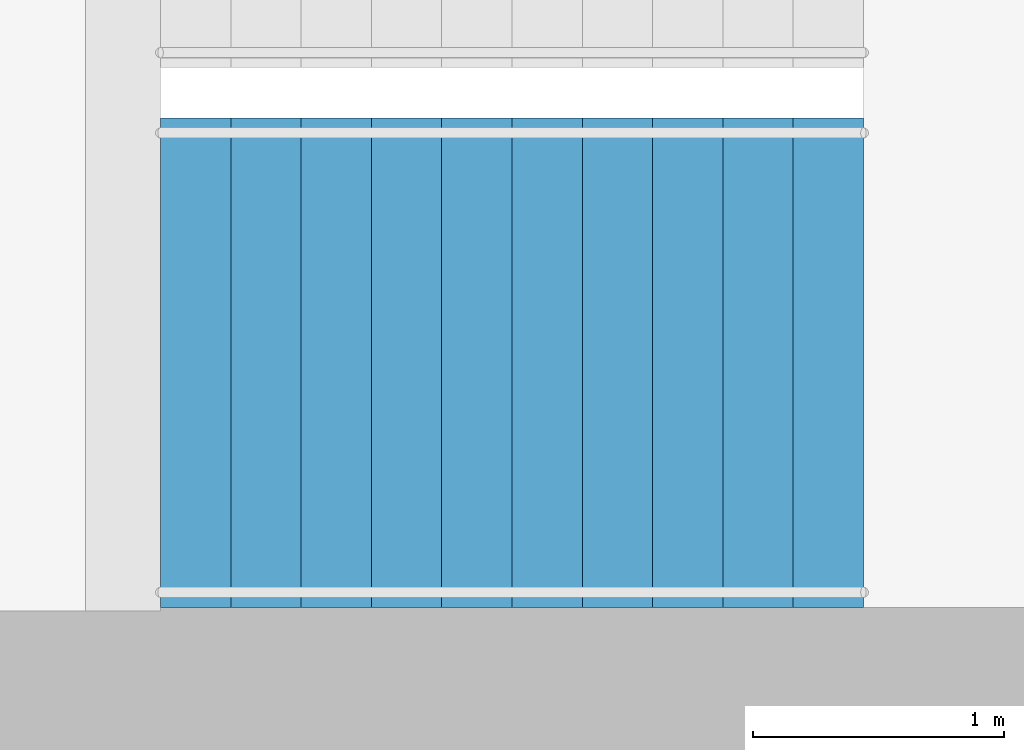
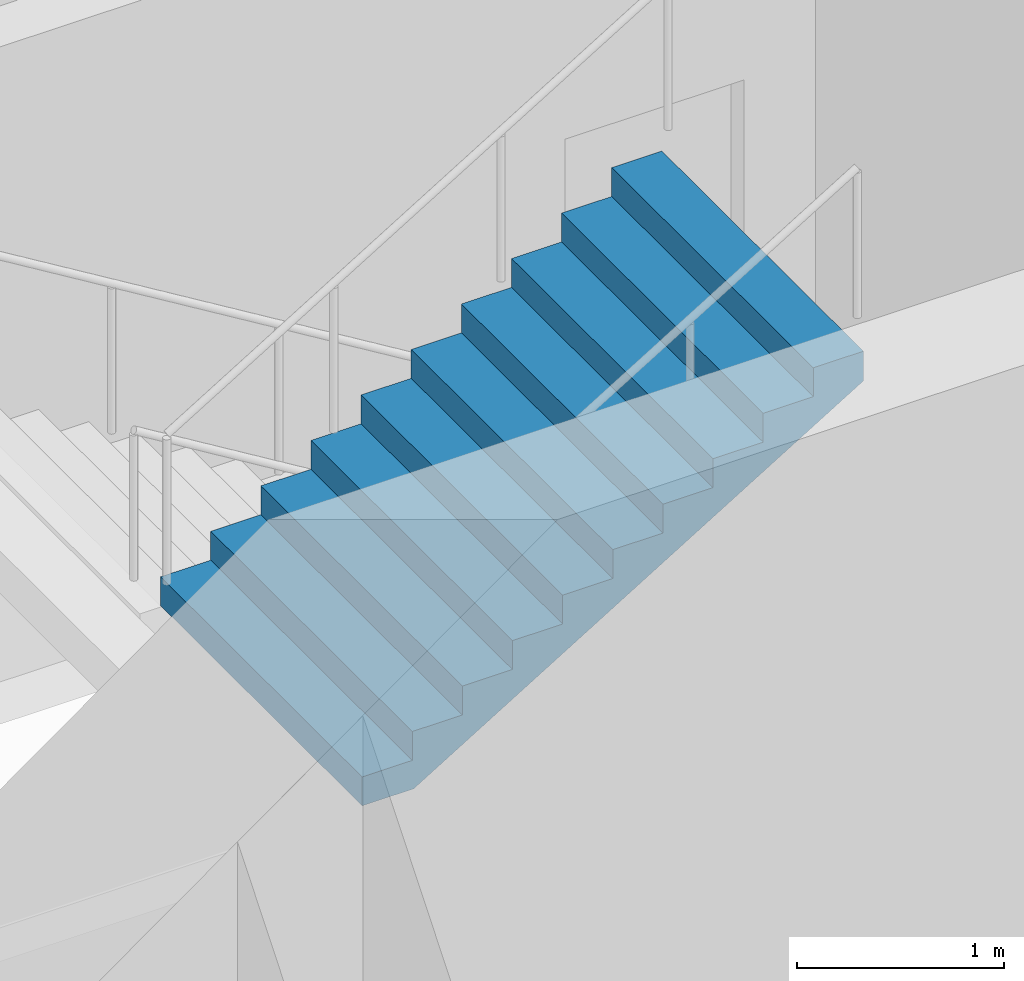
# One storey, part 21 of 23: 1 stair flight, 1 element without a shape of its own.
"""IFC4 building model written with IfcOpenShell, lengths in metres."""

from ifc_helpers import new_model, si_unit, direction, frame, origin, place, context, subcontext, project, spatial, triangles, material, type_object, element, aggregate, save


model = new_model("IFC4")

# Units and contexts
model_context = context("Model", 3, precision=1e-05, world=origin(), true_north=direction((0.0, 1.0)))
body_context = subcontext(model_context, "Body", "Model", "MODEL_VIEW")
ifc_project = project(units=[si_unit("LENGTHUNIT", "METRE"), si_unit("AREAUNIT", "SQUARE_METRE"), si_unit("VOLUMEUNIT", "CUBIC_METRE"), si_unit("PLANEANGLEUNIT", "RADIAN"), si_unit("MASSUNIT", "GRAM", prefix="KILO")], contexts=[model_context])

# Site, building, storey
site_placement = place(None, origin())
site = spatial("IfcSite", under=ifc_project, at=site_placement, CompositionType="ELEMENT")
building_placement = place(site_placement, origin())
building = spatial("IfcBuilding", under=site, at=building_placement, Name="Orbita Commons", CompositionType="ELEMENT")
storey_placement = place(building_placement, frame((0.0, 0.0, 254.050048828125)))
storey = spatial("IfcBuildingStorey", under=building, at=storey_placement, Name="L63", CompositionType="ELEMENT", Elevation=254.050048828125)

# Stair, stair flight
ifc_material_1 = material(Name="Precast concrete C40/50", Category="concrete")
stair_type = type_object("IfcStairType", Name="Exit stair S2 2 flights 11 risers 170", PredefinedType="HALF_TURN_STAIR", material=ifc_material_1)
stair_placement = place(storey_placement, origin())
stair = element("IfcStair", 1, at=stair_placement, inside=storey, type_object=stair_type, Name="Exit stair S2 L63", PredefinedType="HALF_TURN_STAIR")
ifc_material_2 = material(Name="Precast concrete C40/50", Category="concrete")
stair_flight_type = type_object("IfcStairFlightType", Name="Stair flight 11 risers 170 x 280", PredefinedType="STRAIGHT", material=ifc_material_2)
stair_flight_placement = place(storey_placement, frame((60.75, 27.125, 1.875), z_axis=(0.0, 0.0, 1.0), x_axis=(1.0, 0.0, 0.0)))
stair_flight = element("IfcStairFlight", 2, at=stair_flight_placement, type_object=stair_flight_type, Name="S2 flight 2", NumberOfRisers=11, NumberOfTreads=10, PredefinedType="STRAIGHT", RiserHeight=0.170454545, TreadLength=0.28, context=body_context, shape_type="Tessellation", body=[
    triangles([(0.0, 0.974976, 0.0), (0.0, 0.974976, 0.021307), (0.0, 0.81248, 0.021307), (0.0, 0.81248, 0.0), (0.0, 0.649984, 0.021307), (0.0, 0.649984, 0.0), (0.0, 0.487488, 0.021307), (0.0, 0.487488, 0.0), (0.0, 0.324992, 0.021307), (0.0, 0.324992, 0.0), (0.0, 0.162496, 0.021307), (0.0, 0.162496, 0.0), (0.0, 0.0, 0.021307), (0.0, 0.0, 0.0), (0.0, -0.162496, 0.021307), (0.0, -0.162496, 0.0), (0.0, -0.324992, 0.021307), (0.0, -0.324992, 0.0), (0.0, -0.487488, 0.021307), (0.0, -0.487488, 0.0), (0.0, -0.649984, 0.021307), (0.0, -0.649984, 0.0), (0.0, -0.81248, 0.021307), (0.0, -0.81248, 0.0), (0.0, -0.974976, 0.021307), (0.0, -0.974976, 0.0), (0.0, 0.974976, 0.042614), (0.0, 0.81248, 0.042614), (0.0, 0.649984, 0.042614), (0.0, 0.487488, 0.042614), (0.0, 0.324992, 0.042614), (0.0, 0.162496, 0.042614), (0.0, 0.0, 0.042614), (0.0, -0.162496, 0.042614), (0.0, -0.324992, 0.042614), (0.0, -0.487488, 0.042614), (0.0, -0.649984, 0.042614), (0.0, -0.81248, 0.042614), (0.0, -0.974976, 0.042614), (0.0, 0.974976, 0.06392), (0.0, 0.81248, 0.06392), (0.0, 0.649984, 0.06392), (0.0, 0.487488, 0.06392), (0.0, 0.324992, 0.06392), (0.0, 0.162496, 0.06392), (0.0, 0.0, 0.06392), (0.0, -0.162496, 0.06392), (0.0, -0.324992, 0.06392), (0.0, -0.487488, 0.06392), (0.0, -0.649984, 0.06392), (0.0, -0.81248, 0.06392), (0.0, -0.974976, 0.06392), (0.0, 0.974976, 0.085227), (0.0, 0.81248, 0.085227), (0.0, 0.649984, 0.085227), (0.0, 0.487488, 0.085227), (0.0, 0.324992, 0.085227), (0.0, 0.162496, 0.085227), (0.0, 0.0, 0.085227), (0.0, -0.162496, 0.085227), (0.0, -0.324992, 0.085227), (0.0, -0.487488, 0.085227), (0.0, -0.649984, 0.085227), (0.0, -0.81248, 0.085227), (0.0, -0.974976, 0.085227), (0.0, 0.974976, 0.106534), (0.0, 0.81248, 0.106534), (0.0, 0.649984, 0.106534), (0.0, 0.487488, 0.106534), (0.0, 0.324992, 0.106534), (0.0, 0.162496, 0.106534), (0.0, 0.0, 0.106534), (0.0, -0.162496, 0.106534), (0.0, -0.324992, 0.106534), (0.0, -0.487488, 0.106534), (0.0, -0.649984, 0.106534), (0.0, -0.81248, 0.106534), (0.0, -0.974976, 0.106534), (0.0, 0.974976, 0.127841), (0.0, 0.81248, 0.127841), (0.0, 0.649984, 0.127841), (0.0, 0.487488, 0.127841), (0.0, 0.324992, 0.127841), (0.0, 0.162496, 0.127841), (0.0, 0.0, 0.127841), (0.0, -0.162496, 0.127841), (0.0, -0.324992, 0.127841), (0.0, -0.487488, 0.127841), (0.0, -0.649984, 0.127841), (0.0, -0.81248, 0.127841), (0.0, -0.974976, 0.127841), (0.0, 0.974976, 0.149148), (0.0, 0.81248, 0.149148), (0.0, 0.649984, 0.149148), (0.0, 0.487488, 0.149148), (0.0, 0.324992, 0.149148), (0.0, 0.162496, 0.149148), (0.0, 0.0, 0.149148), (0.0, -0.162496, 0.149148), (0.0, -0.324992, 0.149148), (0.0, -0.487488, 0.149148), (0.0, -0.649984, 0.149148), (0.0, -0.81248, 0.149148), (0.0, -0.974976, 0.149148), (0.0, 0.974976, 0.170455), (0.0, 0.81248, 0.170455), (0.0, 0.649984, 0.170455), (0.0, 0.487488, 0.170455), (0.0, 0.324992, 0.170455), (0.0, 0.162496, 0.170455), (0.0, 0.0, 0.170455), (0.0, -0.162496, 0.170455), (0.0, -0.324992, 0.170455), (0.0, -0.487488, 0.170455), (0.0, -0.649984, 0.170455), (0.0, -0.81248, 0.170455), (0.0, -0.974976, 0.170455), (0.28, 0.974976, 0.170455), (0.28, 0.81248, 0.170455), (0.28, 0.649984, 0.170455), (0.28, 0.487488, 0.170455), (0.28, 0.324992, 0.170455), (0.28, 0.162496, 0.170455), (0.28, 0.0, 0.170455), (0.28, -0.162496, 0.170455), (0.28, -0.324992, 0.170455), (0.28, -0.487488, 0.170455), (0.28, -0.649984, 0.170455), (0.28, -0.81248, 0.170455), (0.28, -0.974976, 0.170455), (0.28, 0.974976, 0.340909), (0.28, 0.81248, 0.340909), (0.28, 0.649984, 0.340909), (0.28, 0.487488, 0.340909), (0.28, 0.324992, 0.340909), (0.28, 0.162496, 0.340909), (0.28, 0.0, 0.340909), (0.28, -0.162496, 0.340909), (0.28, -0.324992, 0.340909), (0.28, -0.487488, 0.340909), (0.28, -0.649984, 0.340909), (0.28, -0.81248, 0.340909), (0.28, -0.974976, 0.340909), (0.56, 0.974976, 0.340909), (0.56, 0.81248, 0.340909), (0.56, 0.649984, 0.340909), (0.56, 0.487488, 0.340909), (0.56, 0.324992, 0.340909), (0.56, 0.162496, 0.340909), (0.56, 0.0, 0.340909), (0.56, -0.162496, 0.340909), (0.56, -0.324992, 0.340909), (0.56, -0.487488, 0.340909), (0.56, -0.649984, 0.340909), (0.56, -0.81248, 0.340909), (0.56, -0.974976, 0.340909), (0.56, 0.974976, 0.511364), (0.56, 0.81248, 0.511364), (0.56, 0.649984, 0.511364), (0.56, 0.487488, 0.511364), (0.56, 0.324992, 0.511364), (0.56, 0.162496, 0.511364), (0.56, 0.0, 0.511364), (0.56, -0.162496, 0.511364), (0.56, -0.324992, 0.511364), (0.56, -0.487488, 0.511364), (0.56, -0.649984, 0.511364), (0.56, -0.81248, 0.511364), (0.56, -0.974976, 0.511364), (0.84, 0.974976, 0.511364), (0.84, 0.81248, 0.511364), (0.84, 0.649984, 0.511364), (0.84, 0.487488, 0.511364), (0.84, 0.324992, 0.511364), (0.84, 0.162496, 0.511364), (0.84, 0.0, 0.511364), (0.84, -0.162496, 0.511364), (0.84, -0.324992, 0.511364), (0.84, -0.487488, 0.511364), (0.84, -0.649984, 0.511364), (0.84, -0.81248, 0.511364), (0.84, -0.974976, 0.511364), (0.84, 0.974976, 0.681818), (0.84, 0.81248, 0.681818), (0.84, 0.649984, 0.681818), (0.84, 0.487488, 0.681818), (0.84, 0.324992, 0.681818), (0.84, 0.162496, 0.681818), (0.84, 0.0, 0.681818), (0.84, -0.162496, 0.681818), (0.84, -0.324992, 0.681818), (0.84, -0.487488, 0.681818), (0.84, -0.649984, 0.681818), (0.84, -0.81248, 0.681818), (0.84, -0.974976, 0.681818), (1.12, 0.974976, 0.681818), (1.12, 0.81248, 0.681818), (1.12, 0.649984, 0.681818), (1.12, 0.487488, 0.681818), (1.12, 0.324992, 0.681818), (1.12, 0.162496, 0.681818), (1.12, 0.0, 0.681818), (1.12, -0.162496, 0.681818), (1.12, -0.324992, 0.681818), (1.12, -0.487488, 0.681818), (1.12, -0.649984, 0.681818), (1.12, -0.81248, 0.681818), (1.12, -0.974976, 0.681818), (1.12, 0.974976, 0.852273), (1.12, 0.81248, 0.852273), (1.12, 0.649984, 0.852273), (1.12, 0.487488, 0.852273), (1.12, 0.324992, 0.852273), (1.12, 0.162496, 0.852273), (1.12, 0.0, 0.852273), (1.12, -0.162496, 0.852273), (1.12, -0.324992, 0.852273), (1.12, -0.487488, 0.852273), (1.12, -0.649984, 0.852273), (1.12, -0.81248, 0.852273), (1.12, -0.974976, 0.852273), (1.4, 0.974976, 0.852273), (1.4, 0.81248, 0.852273), (1.4, 0.649984, 0.852273), (1.4, 0.487488, 0.852273), (1.4, 0.324992, 0.852273), (1.4, 0.162496, 0.852273), (1.4, 0.0, 0.852273), (1.4, -0.162496, 0.852273), (1.4, -0.324992, 0.852273), (1.4, -0.487488, 0.852273), (1.4, -0.649984, 0.852273), (1.4, -0.81248, 0.852273), (1.4, -0.974976, 0.852273), (1.4, 0.974976, 1.022727), (1.4, 0.81248, 1.022727), (1.4, 0.649984, 1.022727), (1.4, 0.487488, 1.022727), (1.4, 0.324992, 1.022727), (1.4, 0.162496, 1.022727), (1.4, 0.0, 1.022727), (1.4, -0.162496, 1.022727), (1.4, -0.324992, 1.022727), (1.4, -0.487488, 1.022727), (1.4, -0.649984, 1.022727), (1.4, -0.81248, 1.022727), (1.4, -0.974976, 1.022727), (1.68, 0.974976, 1.022727), (1.68, 0.81248, 1.022727), (1.68, 0.649984, 1.022727), (1.68, 0.487488, 1.022727), (1.68, 0.324992, 1.022727), (1.68, 0.162496, 1.022727), (1.68, 0.0, 1.022727), (1.68, -0.162496, 1.022727), (1.68, -0.324992, 1.022727), (1.68, -0.487488, 1.022727), (1.68, -0.649984, 1.022727), (1.68, -0.81248, 1.022727), (1.68, -0.974976, 1.022727), (1.68, 0.974976, 1.193182), (1.68, 0.81248, 1.193182), (1.68, 0.649984, 1.193182), (1.68, 0.487488, 1.193182), (1.68, 0.324992, 1.193182), (1.68, 0.162496, 1.193182), (1.68, 0.0, 1.193182), (1.68, -0.162496, 1.193182), (1.68, -0.324992, 1.193182), (1.68, -0.487488, 1.193182), (1.68, -0.649984, 1.193182), (1.68, -0.81248, 1.193182), (1.68, -0.974976, 1.193182), (1.96, 0.974976, 1.193182), (1.96, 0.81248, 1.193182), (1.96, 0.649984, 1.193182), (1.96, 0.487488, 1.193182), (1.96, 0.324992, 1.193182), (1.96, 0.162496, 1.193182), (1.96, 0.0, 1.193182), (1.96, -0.162496, 1.193182), (1.96, -0.324992, 1.193182), (1.96, -0.487488, 1.193182), (1.96, -0.649984, 1.193182), (1.96, -0.81248, 1.193182), (1.96, -0.974976, 1.193182), (1.96, 0.974976, 1.363636), (1.96, 0.81248, 1.363636), (1.96, 0.649984, 1.363636), (1.96, 0.487488, 1.363636), (1.96, 0.324992, 1.363636), (1.96, 0.162496, 1.363636), (1.96, 0.0, 1.363636), (1.96, -0.162496, 1.363636), (1.96, -0.324992, 1.363636), (1.96, -0.487488, 1.363636), (1.96, -0.649984, 1.363636), (1.96, -0.81248, 1.363636), (1.96, -0.974976, 1.363636), (2.24, 0.974976, 1.363636), (2.24, 0.81248, 1.363636), (2.24, 0.649984, 1.363636), (2.24, 0.487488, 1.363636), (2.24, 0.324992, 1.363636), (2.24, 0.162496, 1.363636), (2.24, 0.0, 1.363636), (2.24, -0.162496, 1.363636), (2.24, -0.324992, 1.363636), (2.24, -0.487488, 1.363636), (2.24, -0.649984, 1.363636), (2.24, -0.81248, 1.363636), (2.24, -0.974976, 1.363636), (2.24, 0.974976, 1.534091), (2.24, 0.81248, 1.534091), (2.24, 0.649984, 1.534091), (2.24, 0.487488, 1.534091), (2.24, 0.324992, 1.534091), (2.24, 0.162496, 1.534091), (2.24, 0.0, 1.534091), (2.24, -0.162496, 1.534091), (2.24, -0.324992, 1.534091), (2.24, -0.487488, 1.534091), (2.24, -0.649984, 1.534091), (2.24, -0.81248, 1.534091), (2.24, -0.974976, 1.534091), (2.52, 0.974976, 1.534091), (2.52, 0.81248, 1.534091), (2.52, 0.649984, 1.534091), (2.52, 0.487488, 1.534091), (2.52, 0.324992, 1.534091), (2.52, 0.162496, 1.534091), (2.52, 0.0, 1.534091), (2.52, -0.162496, 1.534091), (2.52, -0.324992, 1.534091), (2.52, -0.487488, 1.534091), (2.52, -0.649984, 1.534091), (2.52, -0.81248, 1.534091), (2.52, -0.974976, 1.534091), (2.52, 0.974976, 1.704545), (2.52, 0.81248, 1.704545), (2.52, 0.649984, 1.704545), (2.52, 0.487488, 1.704545), (2.52, 0.324992, 1.704545), (2.52, 0.162496, 1.704545), (2.52, 0.0, 1.704545), (2.52, -0.162496, 1.704545), (2.52, -0.324992, 1.704545), (2.52, -0.487488, 1.704545), (2.52, -0.649984, 1.704545), (2.52, -0.81248, 1.704545), (2.52, -0.974976, 1.704545), (2.8, 0.974976, 1.704545), (2.8, 0.81248, 1.704545), (2.8, 0.649984, 1.704545), (2.8, 0.487488, 1.704545), (2.8, 0.324992, 1.704545), (2.8, 0.162496, 1.704545), (2.8, 0.0, 1.704545), (2.8, -0.162496, 1.704545), (2.8, -0.324992, 1.704545), (2.8, -0.487488, 1.704545), (2.8, -0.649984, 1.704545), (2.8, -0.81248, 1.704545), (2.8, -0.974976, 1.704545), (2.8, 0.974976, 1.682609), (2.8, 0.81248, 1.682609), (2.8, 0.649984, 1.682609), (2.8, 0.487488, 1.682609), (2.8, 0.324992, 1.682609), (2.8, 0.162496, 1.682609), (2.8, 0.0, 1.682609), (2.8, -0.162496, 1.682609), (2.8, -0.324992, 1.682609), (2.8, -0.487488, 1.682609), (2.8, -0.649984, 1.682609), (2.8, -0.81248, 1.682609), (2.8, -0.974976, 1.682609), (2.8, 0.974976, 1.660672), (2.8, 0.81248, 1.660672), (2.8, 0.649984, 1.660672), (2.8, 0.487488, 1.660672), (2.8, 0.324992, 1.660672), (2.8, 0.162496, 1.660672), (2.8, 0.0, 1.660672), (2.8, -0.162496, 1.660672), (2.8, -0.324992, 1.660672), (2.8, -0.487488, 1.660672), (2.8, -0.649984, 1.660672), (2.8, -0.81248, 1.660672), (2.8, -0.974976, 1.660672), (2.8, 0.974976, 1.638735), (2.8, 0.81248, 1.638735), (2.8, 0.649984, 1.638735), (2.8, 0.487488, 1.638735), (2.8, 0.324992, 1.638735), (2.8, 0.162496, 1.638735), (2.8, 0.0, 1.638735), (2.8, -0.162496, 1.638735), (2.8, -0.324992, 1.638735), (2.8, -0.487488, 1.638735), (2.8, -0.649984, 1.638735), (2.8, -0.81248, 1.638735), (2.8, -0.974976, 1.638735), (2.8, 0.974976, 1.616798), (2.8, 0.81248, 1.616798), (2.8, 0.649984, 1.616798), (2.8, 0.487488, 1.616798), (2.8, 0.324992, 1.616798), (2.8, 0.162496, 1.616798), (2.8, 0.0, 1.616798), (2.8, -0.162496, 1.616798), (2.8, -0.324992, 1.616798), (2.8, -0.487488, 1.616798), (2.8, -0.649984, 1.616798), (2.8, -0.81248, 1.616798), (2.8, -0.974976, 1.616798), (2.8, 0.974976, 1.594861), (2.8, 0.81248, 1.594861), (2.8, 0.649984, 1.594861), (2.8, 0.487488, 1.594861), (2.8, 0.324992, 1.594861), (2.8, 0.162496, 1.594861), (2.8, 0.0, 1.594861), (2.8, -0.162496, 1.594861), (2.8, -0.324992, 1.594861), (2.8, -0.487488, 1.594861), (2.8, -0.649984, 1.594861), (2.8, -0.81248, 1.594861), (2.8, -0.974976, 1.594861), (2.8, 0.974976, 1.572925), (2.8, 0.81248, 1.572925), (2.8, 0.649984, 1.572925), (2.8, 0.487488, 1.572925), (2.8, 0.324992, 1.572925), (2.8, 0.162496, 1.572925), (2.8, 0.0, 1.572925), (2.8, -0.162496, 1.572925), (2.8, -0.324992, 1.572925), (2.8, -0.487488, 1.572925), (2.8, -0.649984, 1.572925), (2.8, -0.81248, 1.572925), (2.8, -0.974976, 1.572925), (2.8, 0.974976, 1.550988), (2.8, 0.81248, 1.550988), (2.8, 0.649984, 1.550988), (2.8, 0.487488, 1.550988), (2.8, 0.324992, 1.550988), (2.8, 0.162496, 1.550988), (2.8, 0.0, 1.550988), (2.8, -0.162496, 1.550988), (2.8, -0.324992, 1.550988), (2.8, -0.487488, 1.550988), (2.8, -0.649984, 1.550988), (2.8, -0.81248, 1.550988), (2.8, -0.974976, 1.550988), (2.8, 0.974976, 1.529051), (2.8, 0.81248, 1.529051), (2.8, 0.649984, 1.529051), (2.8, 0.487488, 1.529051), (2.8, 0.324992, 1.529051), (2.8, 0.162496, 1.529051), (2.8, 0.0, 1.529051), (2.8, -0.162496, 1.529051), (2.8, -0.324992, 1.529051), (2.8, -0.487488, 1.529051), (2.8, -0.649984, 1.529051), (2.8, -0.81248, 1.529051), (2.8, -0.974976, 1.529051), (0.288279, 0.974976, 0.0), (0.288279, 0.81248, 0.0), (0.288279, 0.649984, 0.0), (0.288279, 0.487488, 0.0), (0.288279, 0.324992, 0.0), (0.288279, 0.162496, 0.0), (0.288279, 0.0, 0.0), (0.288279, -0.162496, 0.0), (0.288279, -0.324992, 0.0), (0.288279, -0.487488, 0.0), (0.288279, -0.649984, 0.0), (0.288279, -0.81248, 0.0), (0.288279, -0.974976, 0.0)], [[3, 2, 1], [4, 3, 1], [5, 3, 4], [6, 5, 4], [7, 5, 6], [8, 7, 6], [9, 7, 8], [10, 9, 8], [11, 9, 10], [12, 11, 10], [13, 11, 12], [14, 13, 12], [15, 13, 14], [16, 15, 14], [17, 15, 16], [18, 17, 16], [19, 17, 18], [20, 19, 18], [21, 19, 20], [22, 21, 20], [23, 21, 22], [24, 23, 22], [25, 23, 24], [26, 25, 24], [28, 27, 2], [3, 28, 2], [29, 28, 3], [5, 29, 3], [30, 29, 5], [7, 30, 5], [31, 30, 7], [9, 31, 7], [32, 31, 9], [11, 32, 9], [33, 32, 11], [13, 33, 11], [34, 33, 13], [15, 34, 13], [35, 34, 15], [17, 35, 15], [36, 35, 17], [19, 36, 17], [37, 36, 19], [21, 37, 19], [38, 37, 21], [23, 38, 21], [39, 38, 23], [25, 39, 23], [41, 40, 27], [28, 41, 27], [42, 41, 28], [29, 42, 28], [43, 42, 29], [30, 43, 29], [44, 43, 30], [31, 44, 30], [45, 44, 31], [32, 45, 31], [46, 45, 32], [33, 46, 32], [47, 46, 33], [34, 47, 33], [48, 47, 34], [35, 48, 34], [49, 48, 35], [36, 49, 35], [50, 49, 36], [37, 50, 36], [51, 50, 37], [38, 51, 37], [52, 51, 38], [39, 52, 38], [54, 53, 40], [41, 54, 40], [55, 54, 41], [42, 55, 41], [56, 55, 42], [43, 56, 42], [57, 56, 43], [44, 57, 43], [58, 57, 44], [45, 58, 44], [59, 58, 45], [46, 59, 45], [60, 59, 46], [47, 60, 46], [61, 60, 47], [48, 61, 47], [62, 61, 48], [49, 62, 48], [63, 62, 49], [50, 63, 49], [64, 63, 50], [51, 64, 50], [65, 64, 51], [52, 65, 51], [67, 66, 53], [54, 67, 53], [68, 67, 54], [55, 68, 54], [69, 68, 55], [56, 69, 55], [70, 69, 56], [57, 70, 56], [71, 70, 57], [58, 71, 57], [72, 71, 58], [59, 72, 58], [73, 72, 59], [60, 73, 59], [74, 73, 60], [61, 74, 60], [75, 74, 61], [62, 75, 61], [76, 75, 62], [63, 76, 62], [77, 76, 63], [64, 77, 63], [78, 77, 64], [65, 78, 64], [80, 79, 66], [67, 80, 66], [81, 80, 67], [68, 81, 67], [82, 81, 68], [69, 82, 68], [83, 82, 69], [70, 83, 69], [84, 83, 70], [71, 84, 70], [85, 84, 71], [72, 85, 71], [86, 85, 72], [73, 86, 72], [87, 86, 73], [74, 87, 73], [88, 87, 74], [75, 88, 74], [89, 88, 75], [76, 89, 75], [90, 89, 76], [77, 90, 76], [91, 90, 77], [78, 91, 77], [93, 92, 79], [80, 93, 79], [94, 93, 80], [81, 94, 80], [95, 94, 81], [82, 95, 81], [96, 95, 82], [83, 96, 82], [97, 96, 83], [84, 97, 83], [98, 97, 84], [85, 98, 84], [99, 98, 85], [86, 99, 85], [100, 99, 86], [87, 100, 86], [101, 100, 87], [88, 101, 87], [102, 101, 88], [89, 102, 88], [103, 102, 89], [90, 103, 89], [104, 103, 90], [91, 104, 90], [106, 105, 92], [93, 106, 92], [107, 106, 93], [94, 107, 93], [108, 107, 94], [95, 108, 94], [109, 108, 95], [96, 109, 95], [110, 109, 96], [97, 110, 96], [111, 110, 97], [98, 111, 97], [112, 111, 98], [99, 112, 98], [113, 112, 99], [100, 113, 99], [114, 113, 100], [101, 114, 100], [115, 114, 101], [102, 115, 101], [116, 115, 102], [103, 116, 102], [117, 116, 103], [104, 117, 103], [119, 118, 105], [106, 119, 105], [120, 119, 106], [107, 120, 106], [121, 120, 107], [108, 121, 107], [122, 121, 108], [109, 122, 108], [123, 122, 109], [110, 123, 109], [124, 123, 110], [111, 124, 110], [125, 124, 111], [112, 125, 111], [126, 125, 112], [113, 126, 112], [127, 126, 113], [114, 127, 113], [128, 127, 114], [115, 128, 114], [129, 128, 115], [116, 129, 115], [130, 129, 116], [117, 130, 116], [132, 131, 118], [119, 132, 118], [133, 132, 119], [120, 133, 119], [134, 133, 120], [121, 134, 120], [135, 134, 121], [122, 135, 121], [136, 135, 122], [123, 136, 122], [137, 136, 123], [124, 137, 123], [138, 137, 124], [125, 138, 124], [139, 138, 125], [126, 139, 125], [140, 139, 126], [127, 140, 126], [141, 140, 127], [128, 141, 127], [142, 141, 128], [129, 142, 128], [143, 142, 129], [130, 143, 129], [145, 144, 131], [132, 145, 131], [146, 145, 132], [133, 146, 132], [147, 146, 133], [134, 147, 133], [148, 147, 134], [135, 148, 134], [149, 148, 135], [136, 149, 135], [150, 149, 136], [137, 150, 136], [151, 150, 137], [138, 151, 137], [152, 151, 138], [139, 152, 138], [153, 152, 139], [140, 153, 139], [154, 153, 140], [141, 154, 140], [155, 154, 141], [142, 155, 141], [156, 155, 142], [143, 156, 142], [158, 157, 144], [145, 158, 144], [159, 158, 145], [146, 159, 145], [160, 159, 146], [147, 160, 146], [161, 160, 147], [148, 161, 147], [162, 161, 148], [149, 162, 148], [163, 162, 149], [150, 163, 149], [164, 163, 150], [151, 164, 150], [165, 164, 151], [152, 165, 151], [166, 165, 152], [153, 166, 152], [167, 166, 153], [154, 167, 153], [168, 167, 154], [155, 168, 154], [169, 168, 155], [156, 169, 155], [171, 170, 157], [158, 171, 157], [172, 171, 158], [159, 172, 158], [173, 172, 159], [160, 173, 159], [174, 173, 160], [161, 174, 160], [175, 174, 161], [162, 175, 161], [176, 175, 162], [163, 176, 162], [177, 176, 163], [164, 177, 163], [178, 177, 164], [165, 178, 164], [179, 178, 165], [166, 179, 165], [180, 179, 166], [167, 180, 166], [181, 180, 167], [168, 181, 167], [182, 181, 168], [169, 182, 168], [184, 183, 170], [171, 184, 170], [185, 184, 171], [172, 185, 171], [186, 185, 172], [173, 186, 172], [187, 186, 173], [174, 187, 173], [188, 187, 174], [175, 188, 174], [189, 188, 175], [176, 189, 175], [190, 189, 176], [177, 190, 176], [191, 190, 177], [178, 191, 177], [192, 191, 178], [179, 192, 178], [193, 192, 179], [180, 193, 179], [194, 193, 180], [181, 194, 180], [195, 194, 181], [182, 195, 181], [197, 196, 183], [184, 197, 183], [198, 197, 184], [185, 198, 184], [199, 198, 185], [186, 199, 185], [200, 199, 186], [187, 200, 186], [201, 200, 187], [188, 201, 187], [202, 201, 188], [189, 202, 188], [203, 202, 189], [190, 203, 189], [204, 203, 190], [191, 204, 190], [205, 204, 191], [192, 205, 191], [206, 205, 192], [193, 206, 192], [207, 206, 193], [194, 207, 193], [208, 207, 194], [195, 208, 194], [210, 209, 196], [197, 210, 196], [211, 210, 197], [198, 211, 197], [212, 211, 198], [199, 212, 198], [213, 212, 199], [200, 213, 199], [214, 213, 200], [201, 214, 200], [215, 214, 201], [202, 215, 201], [216, 215, 202], [203, 216, 202], [217, 216, 203], [204, 217, 203], [218, 217, 204], [205, 218, 204], [219, 218, 205], [206, 219, 205], [220, 219, 206], [207, 220, 206], [221, 220, 207], [208, 221, 207], [223, 222, 209], [210, 223, 209], [224, 223, 210], [211, 224, 210], [225, 224, 211], [212, 225, 211], [226, 225, 212], [213, 226, 212], [227, 226, 213], [214, 227, 213], [228, 227, 214], [215, 228, 214], [229, 228, 215], [216, 229, 215], [230, 229, 216], [217, 230, 216], [231, 230, 217], [218, 231, 217], [232, 231, 218], [219, 232, 218], [233, 232, 219], [220, 233, 219], [234, 233, 220], [221, 234, 220], [236, 235, 222], [223, 236, 222], [237, 236, 223], [224, 237, 223], [238, 237, 224], [225, 238, 224], [239, 238, 225], [226, 239, 225], [240, 239, 226], [227, 240, 226], [241, 240, 227], [228, 241, 227], [242, 241, 228], [229, 242, 228], [243, 242, 229], [230, 243, 229], [244, 243, 230], [231, 244, 230], [245, 244, 231], [232, 245, 231], [246, 245, 232], [233, 246, 232], [247, 246, 233], [234, 247, 233], [249, 248, 235], [236, 249, 235], [250, 249, 236], [237, 250, 236], [251, 250, 237], [238, 251, 237], [252, 251, 238], [239, 252, 238], [253, 252, 239], [240, 253, 239], [254, 253, 240], [241, 254, 240], [255, 254, 241], [242, 255, 241], [256, 255, 242], [243, 256, 242], [257, 256, 243], [244, 257, 243], [258, 257, 244], [245, 258, 244], [259, 258, 245], [246, 259, 245], [260, 259, 246], [247, 260, 246], [262, 261, 248], [249, 262, 248], [263, 262, 249], [250, 263, 249], [264, 263, 250], [251, 264, 250], [265, 264, 251], [252, 265, 251], [266, 265, 252], [253, 266, 252], [267, 266, 253], [254, 267, 253], [268, 267, 254], [255, 268, 254], [269, 268, 255], [256, 269, 255], [270, 269, 256], [257, 270, 256], [271, 270, 257], [258, 271, 257], [272, 271, 258], [259, 272, 258], [273, 272, 259], [260, 273, 259], [275, 274, 261], [262, 275, 261], [276, 275, 262], [263, 276, 262], [277, 276, 263], [264, 277, 263], [278, 277, 264], [265, 278, 264], [279, 278, 265], [266, 279, 265], [280, 279, 266], [267, 280, 266], [281, 280, 267], [268, 281, 267], [282, 281, 268], [269, 282, 268], [283, 282, 269], [270, 283, 269], [284, 283, 270], [271, 284, 270], [285, 284, 271], [272, 285, 271], [286, 285, 272], [273, 286, 272], [288, 287, 274], [275, 288, 274], [289, 288, 275], [276, 289, 275], [290, 289, 276], [277, 290, 276], [291, 290, 277], [278, 291, 277], [292, 291, 278], [279, 292, 278], [293, 292, 279], [280, 293, 279], [294, 293, 280], [281, 294, 280], [295, 294, 281], [282, 295, 281], [296, 295, 282], [283, 296, 282], [297, 296, 283], [284, 297, 283], [298, 297, 284], [285, 298, 284], [299, 298, 285], [286, 299, 285], [301, 300, 287], [288, 301, 287], [302, 301, 288], [289, 302, 288], [303, 302, 289], [290, 303, 289], [304, 303, 290], [291, 304, 290], [305, 304, 291], [292, 305, 291], [306, 305, 292], [293, 306, 292], [307, 306, 293], [294, 307, 293], [308, 307, 294], [295, 308, 294], [309, 308, 295], [296, 309, 295], [310, 309, 296], [297, 310, 296], [311, 310, 297], [298, 311, 297], [312, 311, 298], [299, 312, 298], [314, 313, 300], [301, 314, 300], [315, 314, 301], [302, 315, 301], [316, 315, 302], [303, 316, 302], [317, 316, 303], [304, 317, 303], [318, 317, 304], [305, 318, 304], [319, 318, 305], [306, 319, 305], [320, 319, 306], [307, 320, 306], [321, 320, 307], [308, 321, 307], [322, 321, 308], [309, 322, 308], [323, 322, 309], [310, 323, 309], [324, 323, 310], [311, 324, 310], [325, 324, 311], [312, 325, 311], [327, 326, 313], [314, 327, 313], [328, 327, 314], [315, 328, 314], [329, 328, 315], [316, 329, 315], [330, 329, 316], [317, 330, 316], [331, 330, 317], [318, 331, 317], [332, 331, 318], [319, 332, 318], [333, 332, 319], [320, 333, 319], [334, 333, 320], [321, 334, 320], [335, 334, 321], [322, 335, 321], [336, 335, 322], [323, 336, 322], [337, 336, 323], [324, 337, 323], [338, 337, 324], [325, 338, 324], [340, 339, 326], [327, 340, 326], [341, 340, 327], [328, 341, 327], [342, 341, 328], [329, 342, 328], [343, 342, 329], [330, 343, 329], [344, 343, 330], [331, 344, 330], [345, 344, 331], [332, 345, 331], [346, 345, 332], [333, 346, 332], [347, 346, 333], [334, 347, 333], [348, 347, 334], [335, 348, 334], [349, 348, 335], [336, 349, 335], [350, 349, 336], [337, 350, 336], [351, 350, 337], [338, 351, 337], [353, 352, 339], [340, 353, 339], [354, 353, 340], [341, 354, 340], [355, 354, 341], [342, 355, 341], [356, 355, 342], [343, 356, 342], [357, 356, 343], [344, 357, 343], [358, 357, 344], [345, 358, 344], [359, 358, 345], [346, 359, 345], [360, 359, 346], [347, 360, 346], [361, 360, 347], [348, 361, 347], [362, 361, 348], [349, 362, 348], [363, 362, 349], [350, 363, 349], [364, 363, 350], [351, 364, 350], [366, 365, 352], [353, 366, 352], [367, 366, 353], [354, 367, 353], [368, 367, 354], [355, 368, 354], [369, 368, 355], [356, 369, 355], [370, 369, 356], [357, 370, 356], [371, 370, 357], [358, 371, 357], [372, 371, 358], [359, 372, 358], [373, 372, 359], [360, 373, 359], [374, 373, 360], [361, 374, 360], [375, 374, 361], [362, 375, 361], [376, 375, 362], [363, 376, 362], [377, 376, 363], [364, 377, 363], [379, 378, 365], [366, 379, 365], [380, 379, 366], [367, 380, 366], [381, 380, 367], [368, 381, 367], [382, 381, 368], [369, 382, 368], [383, 382, 369], [370, 383, 369], [384, 383, 370], [371, 384, 370], [385, 384, 371], [372, 385, 371], [386, 385, 372], [373, 386, 372], [387, 386, 373], [374, 387, 373], [388, 387, 374], [375, 388, 374], [389, 388, 375], [376, 389, 375], [390, 389, 376], [377, 390, 376], [392, 391, 378], [379, 392, 378], [393, 392, 379], [380, 393, 379], [394, 393, 380], [381, 394, 380], [395, 394, 381], [382, 395, 381], [396, 395, 382], [383, 396, 382], [397, 396, 383], [384, 397, 383], [398, 397, 384], [385, 398, 384], [399, 398, 385], [386, 399, 385], [400, 399, 386], [387, 400, 386], [401, 400, 387], [388, 401, 387], [402, 401, 388], [389, 402, 388], [403, 402, 389], [390, 403, 389], [405, 404, 391], [392, 405, 391], [406, 405, 392], [393, 406, 392], [407, 406, 393], [394, 407, 393], [408, 407, 394], [395, 408, 394], [409, 408, 395], [396, 409, 395], [410, 409, 396], [397, 410, 396], [411, 410, 397], [398, 411, 397], [412, 411, 398], [399, 412, 398], [413, 412, 399], [400, 413, 399], [414, 413, 400], [401, 414, 400], [415, 414, 401], [402, 415, 401], [416, 415, 402], [403, 416, 402], [418, 417, 404], [405, 418, 404], [419, 418, 405], [406, 419, 405], [420, 419, 406], [407, 420, 406], [421, 420, 407], [408, 421, 407], [422, 421, 408], [409, 422, 408], [423, 422, 409], [410, 423, 409], [424, 423, 410], [411, 424, 410], [425, 424, 411], [412, 425, 411], [426, 425, 412], [413, 426, 412], [427, 426, 413], [414, 427, 413], [428, 427, 414], [415, 428, 414], [429, 428, 415], [416, 429, 415], [431, 430, 417], [418, 431, 417], [432, 431, 418], [419, 432, 418], [433, 432, 419], [420, 433, 419], [434, 433, 420], [421, 434, 420], [435, 434, 421], [422, 435, 421], [436, 435, 422], [423, 436, 422], [437, 436, 423], [424, 437, 423], [438, 437, 424], [425, 438, 424], [439, 438, 425], [426, 439, 425], [440, 439, 426], [427, 440, 426], [441, 440, 427], [428, 441, 427], [442, 441, 428], [429, 442, 428], [444, 443, 430], [431, 444, 430], [445, 444, 431], [432, 445, 431], [446, 445, 432], [433, 446, 432], [447, 446, 433], [434, 447, 433], [448, 447, 434], [435, 448, 434], [449, 448, 435], [436, 449, 435], [450, 449, 436], [437, 450, 436], [451, 450, 437], [438, 451, 437], [452, 451, 438], [439, 452, 438], [453, 452, 439], [440, 453, 439], [454, 453, 440], [441, 454, 440], [455, 454, 441], [442, 455, 441], [457, 456, 443], [444, 457, 443], [458, 457, 444], [445, 458, 444], [459, 458, 445], [446, 459, 445], [460, 459, 446], [447, 460, 446], [461, 460, 447], [448, 461, 447], [462, 461, 448], [449, 462, 448], [463, 462, 449], [450, 463, 449], [464, 463, 450], [451, 464, 450], [465, 464, 451], [452, 465, 451], [466, 465, 452], [453, 466, 452], [467, 466, 453], [454, 467, 453], [468, 467, 454], [455, 468, 454], [470, 469, 456], [457, 470, 456], [471, 470, 457], [458, 471, 457], [472, 471, 458], [459, 472, 458], [473, 472, 459], [460, 473, 459], [474, 473, 460], [461, 474, 460], [475, 474, 461], [462, 475, 461], [476, 475, 462], [463, 476, 462], [477, 476, 463], [464, 477, 463], [478, 477, 464], [465, 478, 464], [479, 478, 465], [466, 479, 465], [480, 479, 466], [467, 480, 466], [481, 480, 467], [468, 481, 467], [4, 1, 469], [470, 4, 469], [6, 4, 470], [471, 6, 470], [8, 6, 471], [472, 8, 471], [10, 8, 472], [473, 10, 472], [12, 10, 473], [474, 12, 473], [14, 12, 474], [475, 14, 474], [16, 14, 475], [476, 16, 475], [18, 16, 476], [477, 18, 476], [20, 18, 477], [478, 20, 477], [22, 20, 478], [479, 22, 478], [24, 22, 479], [480, 24, 479], [26, 24, 480], [481, 26, 480], [456, 469, 1], [26, 481, 468], [443, 456, 1], [26, 468, 455], [430, 443, 1], [26, 455, 442], [417, 430, 1], [26, 442, 429], [404, 417, 1], [26, 429, 416], [391, 404, 1], [26, 416, 403], [378, 391, 1], [26, 403, 390], [365, 378, 1], [26, 390, 377], [339, 352, 365], [377, 364, 351], [326, 339, 365], [377, 351, 338], [300, 313, 326], [338, 325, 312], [300, 326, 365], [377, 338, 312], [274, 287, 300], [312, 299, 286], [274, 300, 365], [377, 312, 286], [248, 261, 274], [286, 273, 260], [248, 274, 365], [377, 286, 260], [222, 235, 248], [260, 247, 234], [222, 248, 365], [377, 260, 234], [196, 209, 222], [234, 221, 208], [196, 222, 365], [377, 234, 208], [170, 183, 196], [208, 195, 182], [170, 196, 365], [377, 208, 182], [144, 157, 170], [182, 169, 156], [144, 170, 365], [377, 182, 156], [118, 131, 144], [156, 143, 130], [118, 144, 365], [377, 156, 130], [118, 365, 1], [26, 377, 130], [92, 105, 118], [130, 117, 104], [79, 92, 118], [130, 104, 91], [66, 79, 118], [130, 91, 78], [53, 66, 118], [130, 78, 65], [40, 53, 118], [130, 65, 52], [27, 40, 118], [130, 52, 39], [2, 27, 118], [130, 39, 25], [1, 2, 118], [130, 25, 26]], closed=True),
])
aggregate(stair, [stair_flight])

save(model, "model.ifc")
